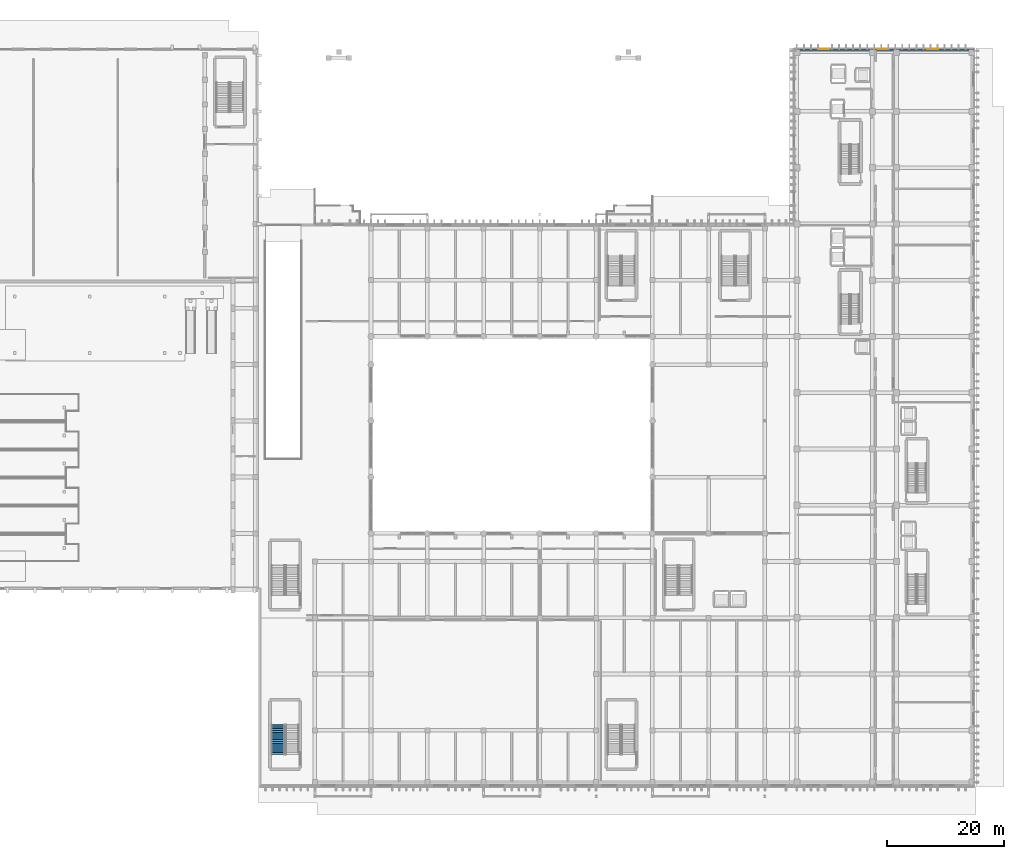
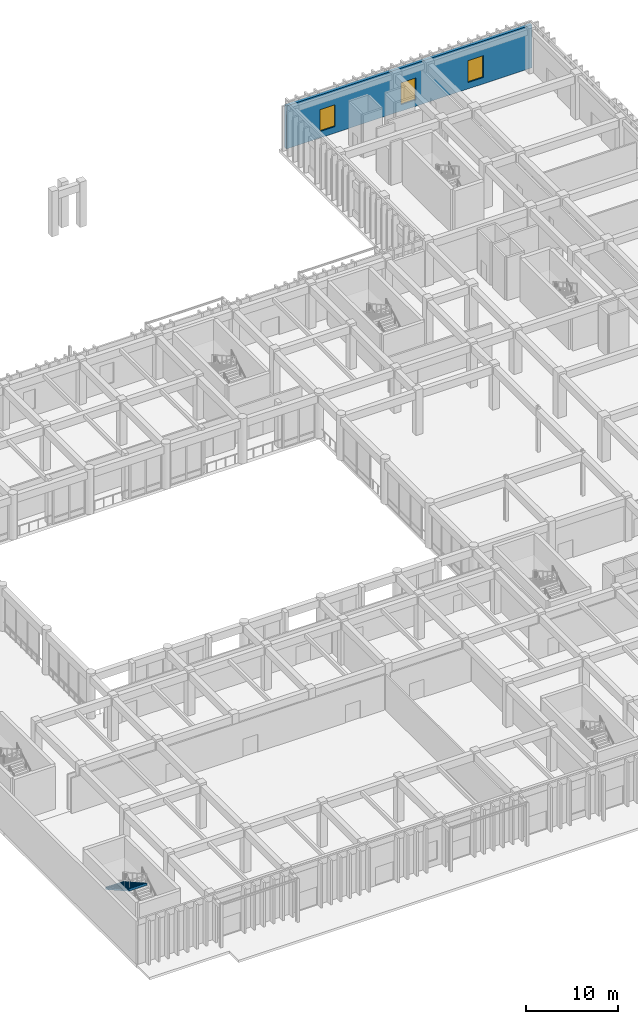
# One storey, part 52 of 87: 3 windows, 1 stair flight, 1 wall, 3 openings, 1 element without a shape of its own.
"""IFC4 building model written with IfcOpenShell, lengths in metres."""

from ifc_helpers import new_model, si_unit, direction, frame, frame_2d, origin, place, context, subcontext, project, spatial, polyline, rectangle, outline, extrude, material, layer, layer_set, type_object, element, fill, aggregate, save


model = new_model("IFC4")

# Units and contexts
model_context = context("Model", 3, precision=1e-05, world=origin(), true_north=direction((0.0, 1.0)))
body_context = subcontext(model_context, "Body", "Model", "MODEL_VIEW")
ifc_project = project(units=[si_unit("LENGTHUNIT", "METRE"), si_unit("AREAUNIT", "SQUARE_METRE"), si_unit("VOLUMEUNIT", "CUBIC_METRE"), si_unit("PLANEANGLEUNIT", "RADIAN"), si_unit("MASSUNIT", "GRAM", prefix="KILO")], contexts=[model_context])

# Site, building, storey
site_placement = place(None, origin())
site = spatial("IfcSite", under=ifc_project, at=site_placement, CompositionType="ELEMENT")
building_placement = place(site_placement, origin())
building = spatial("IfcBuilding", under=site, at=building_placement, Name="Nakhvara Creek Congress Hotel", CompositionType="ELEMENT")
storey_placement = place(building_placement, origin())
storey = spatial("IfcBuildingStorey", under=building, at=storey_placement, Name="L00", CompositionType="ELEMENT", Elevation=0.0)

# Wall, openings, windows
ifc_material_1 = material(Name="Honed pale Omani limestone cladding", Category="masonry")
ifc_layer_1 = layer(ifc_material_1, 0.050048828125)
ifc_material_2 = material(Name="Mineral wool thermal insulation")
ifc_layer_2 = layer(ifc_material_2, 0.110107421875)
ifc_material_3 = material(Name="Precast concrete C40/50", Category="concrete")
ifc_layer_3 = layer(ifc_material_3, 0.219970703125)
ifc_layer_set_1 = layer_set([ifc_layer_1, ifc_layer_2, ifc_layer_3], Name="Precast concrete C40/50")
wall_type = type_object("IfcWallType", Name="W-EXT-380", PredefinedType="SOLIDWALL", material=ifc_layer_set_1)
wall_placement = place(storey_placement, frame((148.89990234375, 125.81005859375, 0.0), z_axis=(0.0, 0.0, 1.0), x_axis=(1.0, 0.0, 0.0)))
wall = element("IfcWall", 1, at=wall_placement, inside=storey, type_object=wall_type, Name="Exterior Wall WE03-EW-L00-0031", PredefinedType="SOLIDWALL", context=body_context, shape_type="SweptSolid", body=[
    extrude(rectangle(XDim=30.800048828125, YDim=0.3798828125, at=frame_2d((15.39990234375, 0.0))), origin(), (0.0, 0.0, 1.0), 5.699951171875),
])
opening_1_placement = place(wall_placement, frame((4.199951171875, 0.0, 0.85009765625)))
opening_1 = element("IfcOpeningElement", 2, at=opening_1_placement, cuts=wall, Name="Opening WN0015", PredefinedType="OPENING", context=body_context, shape_type="SweptSolid", body=[
    extrude(rectangle(XDim=1.89990234375, YDim=2.89990234375, at=frame_2d((0.949951171875, 1.449951171875))), frame((0.0, 0.201904296875, 0.0), z_axis=(0.0, -1.0, 0.0), x_axis=(1.0, 0.0, 0.0)), (0.0, 0.0, 1.0), 0.40380859375),
])
opening_2_placement = place(wall_placement, frame((14.35009765625, 0.0, 0.85009765625)))
opening_2 = element("IfcOpeningElement", 3, at=opening_2_placement, cuts=wall, Name="Opening WN0016", PredefinedType="OPENING", context=body_context, shape_type="SweptSolid", body=[
    extrude(rectangle(XDim=1.89990234375, YDim=2.89990234375, at=frame_2d((0.949951171875, 1.449951171875))), frame((0.0, 0.201904296875, 0.0), z_axis=(0.0, -1.0, 0.0), x_axis=(1.0, 0.0, 0.0)), (0.0, 0.0, 1.0), 0.40380859375),
])
opening_3_placement = place(wall_placement, frame((22.800048828125, 0.0, 0.85009765625)))
opening_3 = element("IfcOpeningElement", 4, at=opening_3_placement, cuts=wall, Name="Opening WN0017", PredefinedType="OPENING", context=body_context, shape_type="SweptSolid", body=[
    extrude(rectangle(XDim=1.89990234375, YDim=2.89990234375, at=frame_2d((0.949951171875, 1.449951171875))), frame((0.0, 0.201904296875, 0.0), z_axis=(0.0, -1.0, 0.0), x_axis=(1.0, 0.0, 0.0)), (0.0, 0.0, 1.0), 0.40380859375),
])
ifc_material_4 = material(Name="Thermally broken bronze-anodised aluminium and double-silver low-E insulated glass", Category="aluminium")
window_type = type_object("IfcWindowType", Name="WN-POD-190X290", PartitioningType="SINGLE_PANEL", PredefinedType="WINDOW", material=ifc_material_4)
window_1_placement = place(opening_1_placement, origin())
window_1 = element("IfcWindow", 5, at=window_1_placement, inside=storey, type_object=window_type, Name="Facade Window WN0015", OverallHeight=2.89990234375, OverallWidth=1.89990234375, PartitioningType="SINGLE_PANEL", PredefinedType="WINDOW", context=body_context, shape_type="SweptSolid", body=[
    extrude(rectangle(XDim=1.89990234375, YDim=2.89990234375, at=frame_2d((0.949951171875, 1.449951171875))), frame((0.0, 0.030029296875, 0.0), z_axis=(0.0, -1.0, 0.0), x_axis=(1.0, 0.0, 0.0)), (0.0, 0.0, 1.0), 0.06005859375),
])
fill(opening_1, window_1)
window_2_placement = place(opening_2_placement, origin())
window_2 = element("IfcWindow", 6, at=window_2_placement, inside=storey, type_object=window_type, Name="Facade Window WN0016", OverallHeight=2.89990234375, OverallWidth=1.89990234375, PartitioningType="SINGLE_PANEL", PredefinedType="WINDOW", context=body_context, shape_type="SweptSolid", body=[
    extrude(rectangle(XDim=1.89990234375, YDim=2.89990234375, at=frame_2d((0.949951171875, 1.449951171875))), frame((0.0, 0.030029296875, 0.0), z_axis=(0.0, -1.0, 0.0), x_axis=(1.0, 0.0, 0.0)), (0.0, 0.0, 1.0), 0.06005859375),
])
fill(opening_2, window_2)
window_3_placement = place(opening_3_placement, origin())
window_3 = element("IfcWindow", 7, at=window_3_placement, inside=storey, type_object=window_type, Name="Facade Window WN0017", OverallHeight=2.89990234375, OverallWidth=1.89990234375, PartitioningType="SINGLE_PANEL", PredefinedType="WINDOW", context=body_context, shape_type="SweptSolid", body=[
    extrude(rectangle(XDim=1.89990234375, YDim=2.89990234375, at=frame_2d((0.949951171875, 1.449951171875))), frame((0.0, 0.030029296875, 0.0), z_axis=(0.0, -1.0, 0.0), x_axis=(1.0, 0.0, 0.0)), (0.0, 0.0, 1.0), 0.06005859375),
])
fill(opening_3, window_3)

# Stair, stair flight
ifc_material_5 = material(Name="Concrete C40/50", Category="concrete")
stair_type = type_object("IfcStairType", Name="ST-CORE-230", PredefinedType="HALF_TURN_STAIR", material=ifc_material_5)
stair_placement = place(storey_placement, origin())
stair = element("IfcStair", 8, at=stair_placement, inside=storey, type_object=stair_type, Name="L00 Protected Exit Stair ST11", PredefinedType="HALF_TURN_STAIR")
ifc_layer_4 = layer(ifc_material_5, 0.219970703125)
ifc_layer_set_2 = layer_set([ifc_layer_4], Name="Concrete C40/50")
stair_flight_type = type_object("IfcStairFlightType", Name="SFL-RC-230", PredefinedType="STRAIGHT", material=ifc_layer_set_2)
stair_flight_placement = place(storey_placement, frame((60.909912109375, 10.52001953125, 3.0), z_axis=(0.0, 0.0, 1.0), x_axis=(0.0, -1.0, 0.0)))
stair_flight = element("IfcStairFlight", 9, at=stair_flight_placement, type_object=stair_flight_type, Name="ST11 flight 2", NumberOfRisers=17, NumberOfTreads=16, PredefinedType="STRAIGHT", RiserHeight=0.176470588, TreadLength=0.315, context=body_context, shape_type="SweptSolid", body=[
    extrude(outline(polyline([(-0.048095703125, 0.0), (0.0, 0.0), (0.0, 0.176513671875), (0.31494140625, 0.176513671875), (0.31494140625, 0.35302734375), (0.6298828125, 0.35302734375), (0.6298828125, 0.529296875), (0.945068359375, 0.529296875), (0.945068359375, 0.705810546875), (1.260009765625, 0.705810546875), (1.260009765625, 0.88232421875), (1.574951171875, 0.88232421875), (1.574951171875, 1.058837890625), (1.889892578125, 1.058837890625), (1.889892578125, 1.2353515625), (2.205078125, 1.2353515625), (2.205078125, 1.411865234375), (2.52001953125, 1.411865234375), (2.52001953125, 1.588134765625), (2.8349609375, 1.588134765625), (2.8349609375, 1.7646484375), (3.14990234375, 1.7646484375), (3.14990234375, 1.941162109375), (3.465087890625, 1.941162109375), (3.465087890625, 2.11767578125), (3.780029296875, 2.11767578125), (3.780029296875, 2.294189453125), (4.094970703125, 2.294189453125), (4.094970703125, 2.470703125), (4.409912109375, 2.470703125), (4.409912109375, 2.64697265625), (4.72509765625, 2.64697265625), (4.72509765625, 2.823486328125), (5.0400390625, 2.823486328125), (5.0400390625, 3.0), (5.088134765625, 3.0), (5.088134765625, 2.85009765625), (5.0400390625, 2.651611328125), (0.0390625, -0.14990234375), (-0.048095703125, -0.14990234375), (-0.048095703125, 0.0)])), frame((0.0, 1.14013671875, 0.0), z_axis=(0.0, -1.0, 0.0), x_axis=(1.0, 0.0, 0.0)), (0.0, 0.0, 1.0), 2.280029296875),
])
aggregate(stair, [stair_flight])

save(model, "model.ifc")
